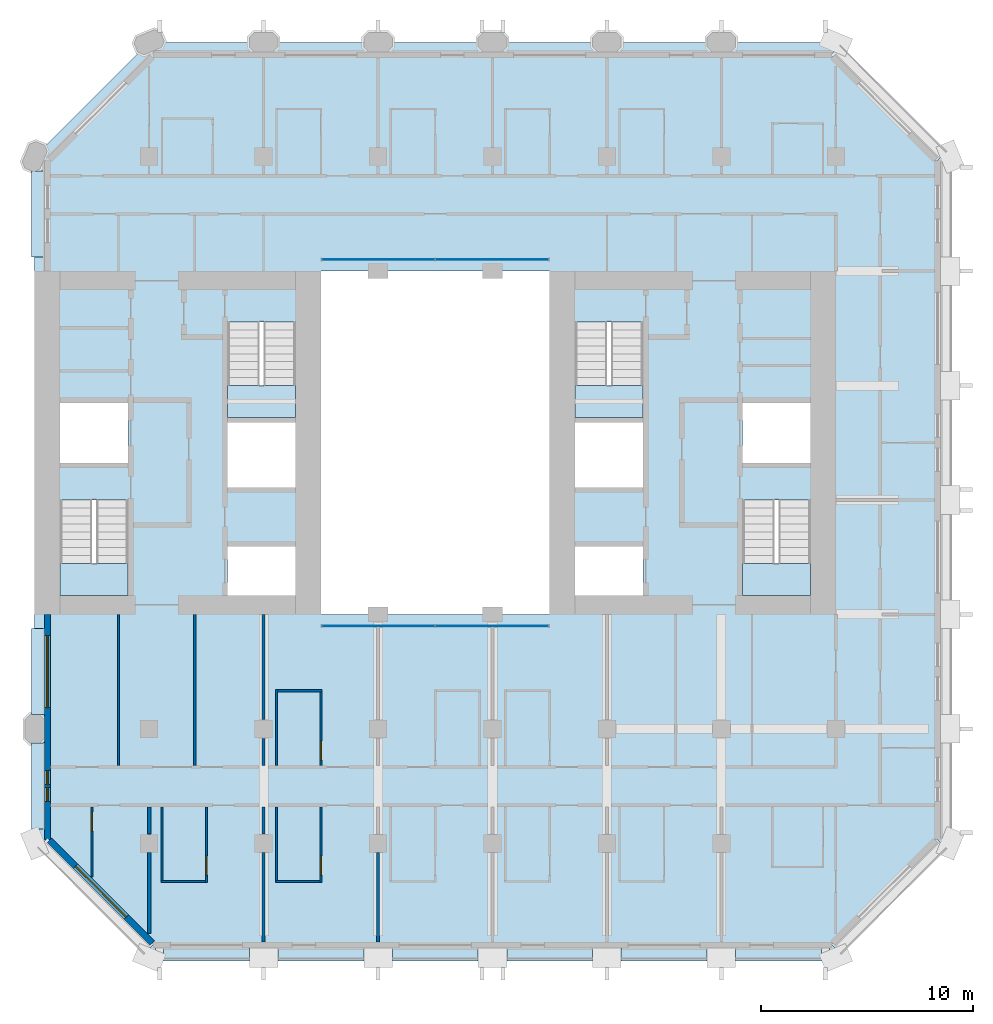
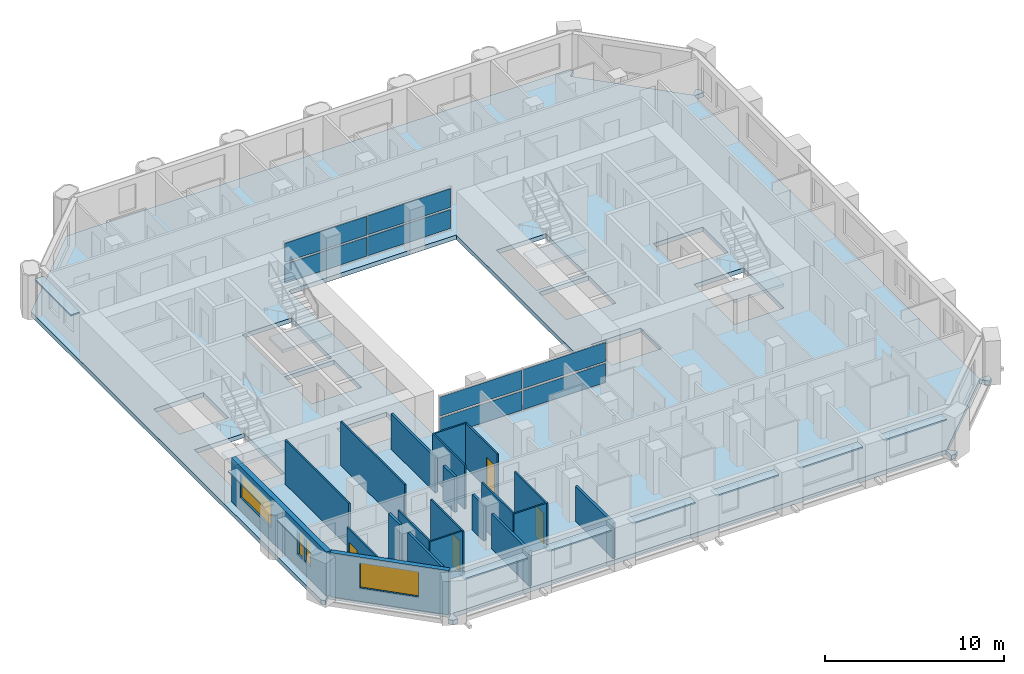
# One storey, part 5 of 13: 21 walls, 17 plates, 5 slabs, 4 doors, 4 windows, 8 openings, 6 elements without a shape of their own.
"""IFC4 building model written with IfcOpenShell, lengths in metres."""

from ifc_helpers import new_model, si_unit, direction, frame, frame_2d, origin, origin_2d, place, context, subcontext, project, spatial, polyline, rectangle, outline, extrude, material, layer, layer_set, type_object, element, fill, aggregate, save


model = new_model("IFC4")

# Units and contexts
model_context = context("Model", 3, precision=1e-05, world=origin(), true_north=direction((0.0, 1.0)))
body_context = subcontext(model_context, "Body", "Model", "MODEL_VIEW")
ifc_project = project(units=[si_unit("LENGTHUNIT", "METRE"), si_unit("AREAUNIT", "SQUARE_METRE"), si_unit("VOLUMEUNIT", "CUBIC_METRE"), si_unit("PLANEANGLEUNIT", "RADIAN"), si_unit("MASSUNIT", "GRAM", prefix="KILO")], contexts=[model_context])

# Site, building, storey
site_placement = place(None, origin())
site = spatial("IfcSite", under=ifc_project, at=site_placement, CompositionType="ELEMENT")
building_placement = place(site_placement, origin())
building = spatial("IfcBuilding", under=site, at=building_placement, Name="Tabaq Tower and Sports Hall", CompositionType="ELEMENT")
storey_placement = place(building_placement, frame((0.0, 0.0, 159.39990234375)))
storey = spatial("IfcBuildingStorey", under=building, at=storey_placement, Name="L37", CompositionType="ELEMENT", Elevation=159.39990234375)

# Curtain wall, plates
ifc_material_1 = material(Name="Aluminium alloy 6063-T6 framed glazing", Category="aluminium")
curtain_wall_type = type_object("IfcCurtainWallType", Name="CW1 curtain wall", PredefinedType="USERDEFINED", material=ifc_material_1)
curtain_wall_1_placement = place(storey_placement, origin())
curtain_wall_1 = element("IfcCurtainWall", 1, at=curtain_wall_1_placement, inside=storey, type_object=curtain_wall_type, Name="Atrium glazing L37 S", ObjectType="ATRIUM ENCLOSURE", PredefinedType="USERDEFINED")
ifc_material_2 = material(Name="Clear low-emissivity glass 28 mm", Category="glass")
ifc_layer_1 = layer(ifc_material_2, 0.028076171875)
ifc_layer_set_1 = layer_set([ifc_layer_1], Name="CW1 glass panel 28")
plate_type_1 = type_object("IfcPlateType", Name="CW1 glass panel 28", PredefinedType="CURTAIN_PANEL", material=ifc_layer_set_1)
plate_1_placement = place(storey_placement, frame((21.614990234375, 15.64990234375, 0.14013671875), z_axis=(0.0, 0.0, 1.0), x_axis=(1.0, 0.0, 0.0)))
plate_1 = element("IfcPlate", 2, at=plate_1_placement, type_object=plate_type_1, Name="CW1 panel 1.1", PredefinedType="CURTAIN_PANEL", context=body_context, shape_type="SweptSolid", body=[
    extrude(rectangle(XDim=5.31005859375, YDim=0.028076171875, at=origin_2d()), origin(), (0.0, 0.0, 1.0), 1.2900390625),
])
plate_2_placement = place(storey_placement, frame((21.614990234375, 15.64990234375, 1.570068359375), z_axis=(0.0, 0.0, 1.0), x_axis=(1.0, 0.0, 0.0)))
plate_2 = element("IfcPlate", 3, at=plate_2_placement, type_object=plate_type_1, Name="CW1 panel 1.2", PredefinedType="CURTAIN_PANEL", context=body_context, shape_type="SweptSolid", body=[
    extrude(rectangle(XDim=5.31005859375, YDim=0.028076171875, at=origin_2d()), origin(), (0.0, 0.0, 1.0), 1.2900390625),
])
plate_3_placement = place(storey_placement, frame((26.985107421875, 15.64990234375, 0.14013671875), z_axis=(0.0, 0.0, 1.0), x_axis=(1.0, 0.0, 0.0)))
plate_3 = element("IfcPlate", 4, at=plate_3_placement, type_object=plate_type_1, Name="CW1 panel 2.1", PredefinedType="CURTAIN_PANEL", context=body_context, shape_type="SweptSolid", body=[
    extrude(rectangle(XDim=5.31005859375, YDim=0.028076171875, at=origin_2d()), origin(), (0.0, 0.0, 1.0), 1.2900390625),
])
plate_4_placement = place(storey_placement, frame((26.985107421875, 15.64990234375, 1.570068359375), z_axis=(0.0, 0.0, 1.0), x_axis=(1.0, 0.0, 0.0)))
plate_4 = element("IfcPlate", 5, at=plate_4_placement, type_object=plate_type_1, Name="CW1 panel 2.2", PredefinedType="CURTAIN_PANEL", context=body_context, shape_type="SweptSolid", body=[
    extrude(rectangle(XDim=5.31005859375, YDim=0.028076171875, at=origin_2d()), origin(), (0.0, 0.0, 1.0), 1.2900390625),
])
aggregate(curtain_wall_1, [plate_1, plate_2, plate_3, plate_4])

curtain_wall_2_placement = place(storey_placement, origin())
curtain_wall_2 = element("IfcCurtainWall", 6, at=curtain_wall_2_placement, inside=storey, type_object=curtain_wall_type, Name="Atrium glazing L37 N", ObjectType="ATRIUM ENCLOSURE", PredefinedType="USERDEFINED")
plate_5_placement = place(storey_placement, frame((21.614990234375, 32.949951171875, 0.14013671875), z_axis=(0.0, 0.0, 1.0), x_axis=(1.0, 0.0, 0.0)))
plate_5 = element("IfcPlate", 7, at=plate_5_placement, type_object=plate_type_1, Name="CW1 panel 1.1", PredefinedType="CURTAIN_PANEL", context=body_context, shape_type="SweptSolid", body=[
    extrude(rectangle(XDim=5.31005859375, YDim=0.028076171875, at=origin_2d()), origin(), (0.0, 0.0, 1.0), 1.2900390625),
])
plate_6_placement = place(storey_placement, frame((21.614990234375, 32.949951171875, 1.570068359375), z_axis=(0.0, 0.0, 1.0), x_axis=(1.0, 0.0, 0.0)))
plate_6 = element("IfcPlate", 8, at=plate_6_placement, type_object=plate_type_1, Name="CW1 panel 1.2", PredefinedType="CURTAIN_PANEL", context=body_context, shape_type="SweptSolid", body=[
    extrude(rectangle(XDim=5.31005859375, YDim=0.028076171875, at=origin_2d()), origin(), (0.0, 0.0, 1.0), 1.2900390625),
])
plate_7_placement = place(storey_placement, frame((26.985107421875, 32.949951171875, 0.14013671875), z_axis=(0.0, 0.0, 1.0), x_axis=(1.0, 0.0, 0.0)))
plate_7 = element("IfcPlate", 9, at=plate_7_placement, type_object=plate_type_1, Name="CW1 panel 2.1", PredefinedType="CURTAIN_PANEL", context=body_context, shape_type="SweptSolid", body=[
    extrude(rectangle(XDim=5.31005859375, YDim=0.028076171875, at=origin_2d()), origin(), (0.0, 0.0, 1.0), 1.2900390625),
])
plate_8_placement = place(storey_placement, frame((26.985107421875, 32.949951171875, 1.570068359375), z_axis=(0.0, 0.0, 1.0), x_axis=(1.0, 0.0, 0.0)))
plate_8 = element("IfcPlate", 10, at=plate_8_placement, type_object=plate_type_1, Name="CW1 panel 2.2", PredefinedType="CURTAIN_PANEL", context=body_context, shape_type="SweptSolid", body=[
    extrude(rectangle(XDim=5.31005859375, YDim=0.028076171875, at=origin_2d()), origin(), (0.0, 0.0, 1.0), 1.2900390625),
])
aggregate(curtain_wall_2, [plate_5, plate_6, plate_7, plate_8])

# Stair, slab
ifc_material_3 = material(Name="Concrete C40/50", Category="concrete")
stair_type = type_object("IfcStairType", Name="Exit stair", PredefinedType="HALF_TURN_STAIR", material=ifc_material_3)
stair_1_placement = place(storey_placement, origin())
stair_1 = element("IfcStair", 11, at=stair_1_placement, inside=storey, type_object=stair_type, Name="L37 Exit stair ST1", PredefinedType="HALF_TURN_STAIR")
ifc_material_4 = material(Name="Concrete C40/50", Category="concrete")
ifc_layer_2 = layer(ifc_material_4, 0.199951171875)
ifc_layer_set_2 = layer_set([ifc_layer_2], Name="Exit stair landing")
slab_type_1 = type_object("IfcSlabType", Name="Exit stair landing", PredefinedType="LANDING", material=ifc_layer_set_2)
slab_1_placement = place(storey_placement, frame((0.0, 0.0, 1.4501953125)))
slab_1 = element("IfcSlab", 12, at=slab_1_placement, type_object=slab_type_1, Name="ST1 landing 1", PredefinedType="LANDING", context=body_context, shape_type="SweptSolid", body=[
    extrude(outline(polyline([(6.60009765625, 18.60009765625), (6.60009765625, 17.10009765625), (9.800048828125, 17.10009765625), (9.800048828125, 18.60009765625), (6.60009765625, 18.60009765625)])), origin(), (0.0, 0.0, 1.0), 0.199951171875),
])
aggregate(stair_1, [slab_1])

stair_2_placement = place(storey_placement, origin())
stair_2 = element("IfcStair", 13, at=stair_2_placement, inside=storey, type_object=stair_type, Name="L37 Exit stair ST2", PredefinedType="HALF_TURN_STAIR")
slab_2_placement = place(storey_placement, frame((0.0, 0.0, 1.4501953125)))
slab_2 = element("IfcSlab", 14, at=slab_2_placement, type_object=slab_type_1, Name="ST2 landing 1", PredefinedType="LANDING", context=body_context, shape_type="SweptSolid", body=[
    extrude(outline(polyline([(14.5, 27.0), (14.5, 25.5), (17.699951171875, 25.5), (17.699951171875, 27.0), (14.5, 27.0)])), origin(), (0.0, 0.0, 1.0), 0.199951171875),
])
aggregate(stair_2, [slab_2])

stair_3_placement = place(storey_placement, origin())
stair_3 = element("IfcStair", 15, at=stair_3_placement, inside=storey, type_object=stair_type, Name="L37 Exit stair ST3", PredefinedType="HALF_TURN_STAIR")
slab_3_placement = place(storey_placement, frame((0.0, 0.0, 1.4501953125)))
slab_3 = element("IfcSlab", 16, at=slab_3_placement, type_object=slab_type_1, Name="ST3 landing 1", PredefinedType="LANDING", context=body_context, shape_type="SweptSolid", body=[
    extrude(outline(polyline([(38.800048828125, 18.60009765625), (38.800048828125, 17.10009765625), (42.0, 17.10009765625), (42.0, 18.60009765625), (38.800048828125, 18.60009765625)])), origin(), (0.0, 0.0, 1.0), 0.199951171875),
])
aggregate(stair_3, [slab_3])

stair_4_placement = place(storey_placement, origin())
stair_4 = element("IfcStair", 17, at=stair_4_placement, inside=storey, type_object=stair_type, Name="L37 Exit stair ST4", PredefinedType="HALF_TURN_STAIR")
slab_4_placement = place(storey_placement, frame((0.0, 0.0, 1.4501953125)))
slab_4 = element("IfcSlab", 18, at=slab_4_placement, type_object=slab_type_1, Name="ST4 landing 1", PredefinedType="LANDING", context=body_context, shape_type="SweptSolid", body=[
    extrude(outline(polyline([(30.89990234375, 27.0), (30.89990234375, 25.5), (34.10009765625, 25.5), (34.10009765625, 27.0), (30.89990234375, 27.0)])), origin(), (0.0, 0.0, 1.0), 0.199951171875),
])
aggregate(stair_4, [slab_4])

# Slab
ifc_material_5 = material(Name="Concrete C40/50", Category="concrete")
ifc_layer_3 = layer(ifc_material_5, 0.300048828125)
ifc_layer_set_3 = layer_set([ifc_layer_3], Name="PT FLOOR SLAB 300 C40/50")
slab_type_2 = type_object("IfcSlabType", Name="PT FLOOR SLAB 300 C40/50", PredefinedType="FLOOR", material=ifc_layer_set_3)
slab_5_placement = place(storey_placement, frame((0.0, 0.0, -0.2998046875)))
element("IfcSlab", 19, at=slab_5_placement, inside=storey, type_object=slab_type_2, Name="Floor Slab L37", PredefinedType="FLOOR", context=body_context, shape_type="SweptSolid", body=[
    extrude(outline(polyline([(5.39990234375, 37.800048828125), (5.39990234375, 5.39990234375), (5.57666015625, 5.22314453125), (5.930419921875, 5.57666015625), (6.0009765625, 5.6474609375), (11.01318359375, 0.63525390625), (10.5888671875, 0.211181640625), (10.800048828125, 0.0), (11.0986328125, 0.0), (11.0986328125, 0.5), (11.0986328125, 0.60009765625), (42.9013671875, 0.60009765625), (42.9013671875, 0.5), (42.9013671875, 0.0), (43.199951171875, 0.0), (43.4111328125, 0.211181640625), (42.98681640625, 0.63525390625), (47.964599609375, 5.61328125), (48.035400390625, 5.54248046875), (48.388916015625, 5.18896484375), (48.60009765625, 5.39990234375), (48.60009765625, 5.698486328125), (48.10009765625, 5.698486328125), (48.0, 5.698486328125), (48.0, 37.50146484375), (48.10009765625, 37.50146484375), (48.60009765625, 37.50146484375), (48.60009765625, 37.800048828125), (48.388916015625, 38.010986328125), (48.035400390625, 37.657470703125), (47.964599609375, 37.5869140625), (42.952392578125, 42.598876953125), (43.023193359375, 42.669677734375), (43.376708984375, 43.023193359375), (43.199951171875, 43.199951171875), (10.800048828125, 43.199951171875), (5.39990234375, 37.800048828125)]), holes=[polyline([(14.5, 19.39990234375), (17.699951171875, 19.39990234375), (17.699951171875, 17.10009765625), (14.5, 17.10009765625), (14.5, 19.39990234375)]), polyline([(6.60009765625, 21.599365234375), (9.800048828125, 21.599365234375), (9.800048828125, 17.10009765625), (6.60009765625, 17.10009765625), (6.60009765625, 21.599365234375)]), polyline([(14.5, 25.25), (17.699951171875, 25.25), (17.699951171875, 22.199951171875), (14.5, 22.199951171875), (14.5, 25.25)]), polyline([(18.89990234375, 32.39990234375), (29.699951171875, 32.39990234375), (29.699951171875, 16.199951171875), (18.89990234375, 16.199951171875), (18.89990234375, 32.39990234375)]), polyline([(9.800048828125, 26.175048828125), (9.800048828125, 23.35009765625), (6.60009765625, 23.35009765625), (6.60009765625, 26.175048828125), (9.800048828125, 26.175048828125)]), polyline([(14.5, 29.99951171875), (17.699951171875, 29.99951171875), (17.699951171875, 25.5), (14.5, 25.5), (14.5, 29.99951171875)]), polyline([(34.10009765625, 19.39990234375), (34.10009765625, 17.10009765625), (30.89990234375, 17.10009765625), (30.89990234375, 19.39990234375), (34.10009765625, 19.39990234375)]), polyline([(42.0, 21.599365234375), (42.0, 17.10009765625), (38.800048828125, 17.10009765625), (38.800048828125, 21.599365234375), (42.0, 21.599365234375)]), polyline([(30.89990234375, 25.25), (34.10009765625, 25.25), (34.10009765625, 22.199951171875), (30.89990234375, 22.199951171875), (30.89990234375, 25.25)]), polyline([(42.0, 26.175048828125), (42.0, 23.35009765625), (38.800048828125, 23.35009765625), (38.800048828125, 26.175048828125), (42.0, 26.175048828125)]), polyline([(34.10009765625, 29.99951171875), (34.10009765625, 25.5), (30.89990234375, 25.5), (30.89990234375, 29.99951171875), (34.10009765625, 29.99951171875)])]), origin(), (0.0, 0.0, 1.0), 0.2998046875),
])

# Plates
ifc_material_6 = material(Name="White precast concrete C60/75 blade", Category="concrete")
ifc_layer_4 = layer(ifc_material_6, 0.10009765625)
ifc_layer_set_4 = layer_set([ifc_layer_4], Name="White precast concrete C60/75 sunshade 100")
plate_type_2 = type_object("IfcPlateType", Name="White precast concrete C60/75 sunshade 100", PredefinedType="USERDEFINED", material=ifc_layer_set_4)
for number, where, z_axis, x_axis, name in (
    (20, (13.5, 0.14990234375, 2.60009765625), (0.0, 0.0, 1.0), (1.0, 0.0, 0.0), "Sunshade L37 S"),
    (21, (18.89990234375, 0.14990234375, 2.60009765625), (0.0, 0.0, 1.0), (1.0, 0.0, 0.0), "Sunshade L37 S"),
    (22, (24.300048828125, 0.14990234375, 2.60009765625), (0.0, 0.0, 1.0), (1.0, 0.0, 0.0), "Sunshade L37 S"),
    (23, (29.699951171875, 0.14990234375, 2.60009765625), (0.0, 0.0, 1.0), (1.0, 0.0, 0.0), "Sunshade L37 S"),
    (24, (35.10009765625, 0.14990234375, 2.60009765625), (0.0, 0.0, 1.0), (1.0, 0.0, 0.0), "Sunshade L37 S"),
    (25, (40.5, 0.14990234375, 2.60009765625), (0.0, 0.0, 1.0), (1.0, 0.0, 0.0), "Sunshade L37 S"),
    (26, (5.550048828125, 35.10009765625, 2.60009765625), (0.0, 0.0, 1.0), (0.0, -1.0, 0.0), "Sunshade L37 W"),
    (27, (5.550048828125, 13.5, 2.60009765625), (0.0, 0.0, 1.0), (0.0, -1.0, 0.0), "Sunshade L37 W"),
    (28, (5.550048828125, 8.10009765625, 2.60009765625), (0.0, 0.0, 1.0), (0.0, -1.0, 0.0), "Sunshade L37 W"),
):
    element("IfcPlate", number, at=place(storey_placement, frame(where, z_axis=z_axis, x_axis=x_axis)), inside=storey, type_object=plate_type_2, Name=name, ObjectType="SUNSHADE", PredefinedType="USERDEFINED", context=body_context, shape_type="SweptSolid", body=[
        extrude(rectangle(XDim=4.050048828125, YDim=0.60009765625, at=origin_2d()), origin(), (0.0, 0.0, 1.0), 0.10009765625),
    ])

# Walls
ifc_material_7 = material(Name="Gypsum board on steel studs", Category="steel")
ifc_layer_5 = layer(ifc_material_7, 0.10009765625)
ifc_layer_set_5 = layer_set([ifc_layer_5], Name="Partition 100 Gypsum board")
wall_type_1 = type_object("IfcWallType", Name="Partition 100 Gypsum board", PredefinedType="PARTITIONING", material=ifc_layer_set_5)
wall_1_placement = place(storey_placement, frame((16.800048828125, 9.074951171875, 0.0), z_axis=(0.0, 0.0, 1.0), x_axis=(0.0, 1.0, 0.0)))
element("IfcWall", 29, at=wall_1_placement, inside=storey, type_object=wall_type_1, Name="Partition wall L37", PredefinedType="PARTITIONING", context=body_context, shape_type="SweptSolid", body=[
    extrude(rectangle(XDim=3.574951171875, YDim=0.10009765625, at=frame_2d((1.78759765625, 0.0))), origin(), (0.0, 0.0, 1.0), 3.0),
])
wall_2_placement = place(storey_placement, frame((16.85009765625, 12.60009765625, 0.0), z_axis=(0.0, 0.0, 1.0), x_axis=(1.0, 0.0, 0.0)))
element("IfcWall", 30, at=wall_2_placement, inside=storey, type_object=wall_type_1, Name="Partition wall L37", PredefinedType="PARTITIONING", context=body_context, shape_type="SweptSolid", body=[
    extrude(rectangle(XDim=2.099853515625, YDim=0.10009765625, at=frame_2d((1.0498046875, 0.0))), origin(), (0.0, 0.0, 1.0), 3.0),
])

# Wall, opening, door
wall_3_placement = place(storey_placement, frame((18.89990234375, 12.550048828125, 0.0), z_axis=(0.0, 0.0, 1.0), x_axis=(0.0, -1.0, 0.0)))
wall_3 = element("IfcWall", 31, at=wall_3_placement, inside=storey, type_object=wall_type_1, Name="Partition wall L37", PredefinedType="PARTITIONING", context=body_context, shape_type="SweptSolid", body=[
    extrude(rectangle(XDim=3.47509765625, YDim=0.10009765625, at=frame_2d((1.737548828125, 0.0))), origin(), (0.0, 0.0, 1.0), 3.0),
])
opening_1_placement = place(wall_3_placement, frame((2.324951171875, 0.0, 0.0)))
opening_1 = element("IfcOpeningElement", 32, at=opening_1_placement, cuts=wall_3, Name="Opening L37-014", PredefinedType="OPENING", context=body_context, shape_type="SweptSolid", body=[
    extrude(rectangle(XDim=0.89990234375, YDim=2.10009765625, at=frame_2d((0.449951171875, 1.050048828125))), frame((0.0, 0.050048828125, 0.0), z_axis=(0.0, -1.0, 0.0), x_axis=(1.0, 0.0, 0.0)), (0.0, 0.0, 1.0), 0.10009765625),
])
ifc_material_8 = material(Name="Timber leaf in steel frame", Category="steel")
door_type_1 = type_object("IfcDoorType", Name="Internal door 900 left hand", OperationType="SINGLE_SWING_LEFT", PredefinedType="DOOR", material=ifc_material_8)
door_1_placement = place(opening_1_placement, origin())
door_1 = element("IfcDoor", 33, at=door_1_placement, inside=storey, type_object=door_type_1, Name="Internal door L37-014", OperationType="SINGLE_SWING_LEFT", OverallHeight=2.10009765625, OverallWidth=0.89990234375, PredefinedType="DOOR", context=body_context, shape_type="SweptSolid", body=[
    extrude(rectangle(XDim=0.89990234375, YDim=2.10009765625, at=frame_2d((0.449951171875, 1.050048828125))), frame((0.0, 0.02490234375, 0.0), z_axis=(0.0, -1.0, 0.0), x_axis=(1.0, 0.0, 0.0)), (0.0, 0.0, 1.0), 0.050048828125),
])
fill(opening_1, door_1)

wall_4_placement = place(storey_placement, frame((8.10009765625, 7.125, 0.0), z_axis=(0.0, 0.0, 1.0), x_axis=(0.0, -1.0, 0.0)))
wall_4 = element("IfcWall", 34, at=wall_4_placement, inside=storey, type_object=wall_type_1, Name="Partition wall L37", PredefinedType="PARTITIONING", context=body_context, shape_type="SweptSolid", body=[
    extrude(rectangle(XDim=3.31298828125, YDim=0.10009765625, at=frame_2d((1.656494140625, 0.0))), origin(), (0.0, 0.0, 1.0), 3.0),
])
opening_2_placement = place(wall_4_placement, frame((0.25, 0.0, 0.0)))
opening_2 = element("IfcOpeningElement", 35, at=opening_2_placement, cuts=wall_4, Name="Opening L37-018", PredefinedType="OPENING", context=body_context, shape_type="SweptSolid", body=[
    extrude(rectangle(XDim=0.89990234375, YDim=2.10009765625, at=frame_2d((0.449951171875, 1.050048828125))), frame((0.0, 0.050048828125, 0.0), z_axis=(0.0, -1.0, 0.0), x_axis=(1.0, 0.0, 0.0)), (0.0, 0.0, 1.0), 0.10009765625),
])
door_2_placement = place(opening_2_placement, origin())
door_2 = element("IfcDoor", 36, at=door_2_placement, inside=storey, type_object=door_type_1, Name="Internal door L37-018", OperationType="SINGLE_SWING_LEFT", OverallHeight=2.10009765625, OverallWidth=0.89990234375, PredefinedType="DOOR", context=body_context, shape_type="SweptSolid", body=[
    extrude(rectangle(XDim=0.89990234375, YDim=2.10009765625, at=frame_2d((0.449951171875, 1.050048828125))), frame((0.0, 0.02490234375, 0.0), z_axis=(0.0, -1.0, 0.0), x_axis=(1.0, 0.0, 0.0)), (0.0, 0.0, 1.0), 0.050048828125),
])
fill(opening_2, door_2)

wall_5_placement = place(storey_placement, frame((13.5, 7.125, 0.0), z_axis=(0.0, 0.0, 1.0), x_axis=(0.0, -1.0, 0.0)))
wall_5 = element("IfcWall", 37, at=wall_5_placement, inside=storey, type_object=wall_type_1, Name="Partition wall L37", PredefinedType="PARTITIONING", context=body_context, shape_type="SweptSolid", body=[
    extrude(rectangle(XDim=3.574951171875, YDim=0.10009765625, at=frame_2d((1.78759765625, 0.0))), origin(), (0.0, 0.0, 1.0), 3.0),
])
opening_3_placement = place(wall_5_placement, frame((2.324951171875, 0.0, 0.0)))
opening_3 = element("IfcOpeningElement", 38, at=opening_3_placement, cuts=wall_5, Name="Opening L37-019", PredefinedType="OPENING", context=body_context, shape_type="SweptSolid", body=[
    extrude(rectangle(XDim=0.89990234375, YDim=2.10009765625, at=frame_2d((0.449951171875, 1.050048828125))), frame((0.0, 0.050048828125, 0.0), z_axis=(0.0, -1.0, 0.0), x_axis=(1.0, 0.0, 0.0)), (0.0, 0.0, 1.0), 0.10009765625),
])
door_3_placement = place(opening_3_placement, origin())
door_3 = element("IfcDoor", 39, at=door_3_placement, inside=storey, type_object=door_type_1, Name="Internal door L37-019", OperationType="SINGLE_SWING_LEFT", OverallHeight=2.10009765625, OverallWidth=0.89990234375, PredefinedType="DOOR", context=body_context, shape_type="SweptSolid", body=[
    extrude(rectangle(XDim=0.89990234375, YDim=2.10009765625, at=frame_2d((0.449951171875, 1.050048828125))), frame((0.0, 0.02490234375, 0.0), z_axis=(0.0, -1.0, 0.0), x_axis=(1.0, 0.0, 0.0)), (0.0, 0.0, 1.0), 0.050048828125),
])
fill(opening_3, door_3)

# Walls
wall_6_placement = place(storey_placement, frame((13.449951171875, 3.60009765625, 0.0), z_axis=(0.0, 0.0, 1.0), x_axis=(-1.0, 0.0, 0.0)))
element("IfcWall", 40, at=wall_6_placement, inside=storey, type_object=wall_type_1, Name="Partition wall L37", PredefinedType="PARTITIONING", context=body_context, shape_type="SweptSolid", body=[
    extrude(rectangle(XDim=2.099853515625, YDim=0.10009765625, at=frame_2d((1.0498046875, 0.0))), origin(), (0.0, 0.0, 1.0), 3.0),
])
wall_7_placement = place(storey_placement, frame((11.39990234375, 3.64990234375, 0.0), z_axis=(0.0, 0.0, 1.0), x_axis=(0.0, 1.0, 0.0)))
element("IfcWall", 41, at=wall_7_placement, inside=storey, type_object=wall_type_1, Name="Partition wall L37", PredefinedType="PARTITIONING", context=body_context, shape_type="SweptSolid", body=[
    extrude(rectangle(XDim=3.47509765625, YDim=0.10009765625, at=frame_2d((1.737548828125, 0.0))), origin(), (0.0, 0.0, 1.0), 3.0),
])

# Wall, opening, door
wall_8_placement = place(storey_placement, frame((18.89990234375, 7.125, 0.0), z_axis=(0.0, 0.0, 1.0), x_axis=(0.0, -1.0, 0.0)))
wall_8 = element("IfcWall", 42, at=wall_8_placement, inside=storey, type_object=wall_type_1, Name="Partition wall L37", PredefinedType="PARTITIONING", context=body_context, shape_type="SweptSolid", body=[
    extrude(rectangle(XDim=3.574951171875, YDim=0.10009765625, at=frame_2d((1.78759765625, 0.0))), origin(), (0.0, 0.0, 1.0), 3.0),
])
opening_4_placement = place(wall_8_placement, frame((2.324951171875, 0.0, 0.0)))
opening_4 = element("IfcOpeningElement", 43, at=opening_4_placement, cuts=wall_8, Name="Opening L37-020", PredefinedType="OPENING", context=body_context, shape_type="SweptSolid", body=[
    extrude(rectangle(XDim=0.89990234375, YDim=2.10009765625, at=frame_2d((0.449951171875, 1.050048828125))), frame((0.0, 0.050048828125, 0.0), z_axis=(0.0, -1.0, 0.0), x_axis=(1.0, 0.0, 0.0)), (0.0, 0.0, 1.0), 0.10009765625),
])
ifc_material_9 = material(Name="Timber leaf in steel frame", Category="steel")
door_type_2 = type_object("IfcDoorType", Name="Internal door 900 right hand", OperationType="SINGLE_SWING_RIGHT", PredefinedType="DOOR", material=ifc_material_9)
door_4_placement = place(opening_4_placement, origin())
door_4 = element("IfcDoor", 44, at=door_4_placement, inside=storey, type_object=door_type_2, Name="Internal door L37-020", OperationType="SINGLE_SWING_RIGHT", OverallHeight=2.10009765625, OverallWidth=0.89990234375, PredefinedType="DOOR", context=body_context, shape_type="SweptSolid", body=[
    extrude(rectangle(XDim=0.89990234375, YDim=2.10009765625, at=frame_2d((0.449951171875, 1.050048828125))), frame((0.0, 0.02490234375, 0.0), z_axis=(0.0, -1.0, 0.0), x_axis=(1.0, 0.0, 0.0)), (0.0, 0.0, 1.0), 0.050048828125),
])
fill(opening_4, door_4)

# Walls
wall_9_placement = place(storey_placement, frame((18.85009765625, 3.60009765625, 0.0), z_axis=(0.0, 0.0, 1.0), x_axis=(-1.0, 0.0, 0.0)))
element("IfcWall", 45, at=wall_9_placement, inside=storey, type_object=wall_type_1, Name="Partition wall L37", PredefinedType="PARTITIONING", context=body_context, shape_type="SweptSolid", body=[
    extrude(rectangle(XDim=2.10009765625, YDim=0.10009765625, at=frame_2d((1.050048828125, 0.0))), origin(), (0.0, 0.0, 1.0), 3.0),
])
wall_10_placement = place(storey_placement, frame((16.800048828125, 3.64990234375, 0.0), z_axis=(0.0, 0.0, 1.0), x_axis=(0.0, 1.0, 0.0)))
element("IfcWall", 46, at=wall_10_placement, inside=storey, type_object=wall_type_1, Name="Partition wall L37", PredefinedType="PARTITIONING", context=body_context, shape_type="SweptSolid", body=[
    extrude(rectangle(XDim=3.47509765625, YDim=0.10009765625, at=frame_2d((1.737548828125, 0.0))), origin(), (0.0, 0.0, 1.0), 3.0),
])
for number, where, z_axis, x_axis, name in (
    (47, (9.35009765625, 16.199951171875, 0.0), (0.0, 0.0, 1.0), (0.0, -1.0, 0.0), "Partition wall L37"),
    (48, (12.949951171875, 9.074951171875, 0.0), (0.0, 0.0, 1.0), (0.0, 1.0, 0.0), "Partition wall L37"),
):
    element("IfcWall", number, at=place(storey_placement, frame(where, z_axis=z_axis, x_axis=x_axis)), inside=storey, type_object=wall_type_1, Name=name, PredefinedType="PARTITIONING", context=body_context, shape_type="SweptSolid", body=[
        extrude(rectangle(XDim=7.125, YDim=0.10009765625, at=frame_2d((3.5625, 0.0))), origin(), (0.0, 0.0, 1.0), 3.0),
    ])
ifc_material_10 = material(Name="Blockwork", Category="masonry")
ifc_layer_6 = layer(ifc_material_10, 0.14990234375)
ifc_layer_set_6 = layer_set([ifc_layer_6], Name="Separating wall 150 Blockwork")
wall_type_2 = type_object("IfcWallType", Name="Separating wall 150 Blockwork", PredefinedType="PARTITIONING", material=ifc_layer_set_6)
wall_11_placement = place(storey_placement, frame((16.199951171875, 16.199951171875, 0.0), z_axis=(0.0, 0.0, 1.0), x_axis=(0.0, -1.0, 0.0)))
element("IfcWall", 49, at=wall_11_placement, inside=storey, type_object=wall_type_2, Name="Separating wall L37", PredefinedType="PARTITIONING", context=body_context, shape_type="SweptSolid", body=[
    extrude(rectangle(XDim=4.954833984375, YDim=0.14990234375, at=frame_2d((2.4775390625, 0.0))), origin(), (0.0, 0.0, 1.0), 2.400146484375),
])
wall_12_placement = place(storey_placement, frame((16.199951171875, 10.35498046875, 0.0), z_axis=(0.0, 0.0, 1.0), x_axis=(0.0, -1.0, 0.0)))
element("IfcWall", 50, at=wall_12_placement, inside=storey, type_object=wall_type_2, Name="Separating wall L37", PredefinedType="PARTITIONING", context=body_context, shape_type="SweptSolid", body=[
    extrude(rectangle(XDim=1.280029296875, YDim=0.14990234375, at=frame_2d((0.64013671875, 0.0))), origin(), (0.0, 0.0, 1.0), 2.400146484375),
])
wall_13_placement = place(storey_placement, frame((10.800048828125, 1.13720703125, 0.0), z_axis=(0.0, 0.0, 1.0), x_axis=(0.0, 1.0, 0.0)))
element("IfcWall", 51, at=wall_13_placement, inside=storey, type_object=wall_type_2, Name="Separating wall L37", PredefinedType="PARTITIONING", context=body_context, shape_type="SweptSolid", body=[
    extrude(rectangle(XDim=3.81787109375, YDim=0.14990234375, at=frame_2d((1.908935546875, 0.0))), origin(), (0.0, 0.0, 1.0), 3.0),
])
wall_14_placement = place(storey_placement, frame((10.800048828125, 5.844970703125, 0.0), z_axis=(0.0, 0.0, 1.0), x_axis=(0.0, 1.0, 0.0)))
element("IfcWall", 52, at=wall_14_placement, inside=storey, type_object=wall_type_2, Name="Separating wall L37", PredefinedType="PARTITIONING", context=body_context, shape_type="SweptSolid", body=[
    extrude(rectangle(XDim=1.280029296875, YDim=0.14990234375, at=frame_2d((0.64013671875, 0.0))), origin(), (0.0, 0.0, 1.0), 3.0),
])
wall_15_placement = place(storey_placement, frame((16.199951171875, 0.7509765625, 0.0), z_axis=(0.0, 0.0, 1.0), x_axis=(0.0, 1.0, 0.0)))
element("IfcWall", 53, at=wall_15_placement, inside=storey, type_object=wall_type_2, Name="Separating wall L37", PredefinedType="PARTITIONING", context=body_context, shape_type="SweptSolid", body=[
    extrude(rectangle(XDim=4.2041015625, YDim=0.14990234375, at=frame_2d((2.10205078125, 0.0))), origin(), (0.0, 0.0, 1.0), 2.400146484375),
])
wall_16_placement = place(storey_placement, frame((16.199951171875, 5.844970703125, 0.0), z_axis=(0.0, 0.0, 1.0), x_axis=(0.0, 1.0, 0.0)))
element("IfcWall", 54, at=wall_16_placement, inside=storey, type_object=wall_type_2, Name="Separating wall L37", PredefinedType="PARTITIONING", context=body_context, shape_type="SweptSolid", body=[
    extrude(rectangle(XDim=1.280029296875, YDim=0.14990234375, at=frame_2d((0.64013671875, 0.0))), origin(), (0.0, 0.0, 1.0), 2.400146484375),
])
wall_17_placement = place(storey_placement, frame((21.60009765625, 0.7509765625, 0.0), z_axis=(0.0, 0.0, 1.0), x_axis=(0.0, 1.0, 0.0)))
element("IfcWall", 55, at=wall_17_placement, inside=storey, type_object=wall_type_2, Name="Separating wall L37", PredefinedType="PARTITIONING", context=body_context, shape_type="SweptSolid", body=[
    extrude(rectangle(XDim=4.2041015625, YDim=0.14990234375, at=frame_2d((2.10205078125, 0.0))), origin(), (0.0, 0.0, 1.0), 2.400146484375),
])

# Wall, openings, windows
ifc_material_11 = material(Name="White precast concrete C60/75", Category="concrete")
ifc_layer_7 = layer(ifc_material_11, 0.300048828125)
ifc_layer_set_7 = layer_set([ifc_layer_7], Name="White precast concrete C60/75 external wall 300")
wall_type_3 = type_object("IfcWallType", Name="White precast concrete C60/75 external wall 300", PredefinedType="SOLIDWALL", material=ifc_layer_set_7)
wall_18_placement = place(storey_placement, frame((6.0, 16.199951171875, 0.0), z_axis=(0.0, 0.0, 1.0), x_axis=(0.0, -1.0, 0.0)))
wall_18 = element("IfcWall", 56, at=wall_18_placement, inside=storey, type_object=wall_type_3, Name="External Wall L37 W", PredefinedType="SOLIDWALL", context=body_context, shape_type="SweptSolid", body=[
    extrude(rectangle(XDim=10.613525390625, YDim=0.300048828125, at=frame_2d((5.306640625, 0.0))), origin(), (0.0, 0.0, 1.0), 3.0),
])
opening_5_placement = place(wall_18_placement, frame((1.0, 0.0, 0.89990234375)))
opening_5 = element("IfcOpeningElement", 57, at=opening_5_placement, cuts=wall_18, Name="Opening W1A", PredefinedType="OPENING", context=body_context, shape_type="SweptSolid", body=[
    extrude(rectangle(XDim=3.39990234375, YDim=1.699951171875, at=frame_2d((1.699951171875, 0.85009765625))), frame((0.0, 0.16015625, 0.0), z_axis=(0.0, -1.0, 0.0), x_axis=(1.0, 0.0, 0.0)), (0.0, 0.0, 1.0), 0.320068359375),
])
opening_6_placement = place(wall_18_placement, frame((7.375, 0.0, 0.89990234375)))
opening_6 = element("IfcOpeningElement", 58, at=opening_6_placement, cuts=wall_18, Name="Opening W1C", PredefinedType="OPENING", context=body_context, shape_type="SweptSolid", body=[
    extrude(rectangle(XDim=0.64990234375, YDim=1.699951171875, at=frame_2d((0.324951171875, 0.85009765625))), frame((0.0, 0.16015625, 0.0), z_axis=(0.0, -1.0, 0.0), x_axis=(1.0, 0.0, 0.0)), (0.0, 0.0, 1.0), 0.320068359375),
])
opening_7_placement = place(wall_18_placement, frame((8.175048828125, 0.0, 0.89990234375)))
opening_7 = element("IfcOpeningElement", 59, at=opening_7_placement, cuts=wall_18, Name="Opening W1C", PredefinedType="OPENING", context=body_context, shape_type="SweptSolid", body=[
    extrude(rectangle(XDim=0.64990234375, YDim=1.699951171875, at=frame_2d((0.324951171875, 0.85009765625))), frame((0.0, 0.16015625, 0.0), z_axis=(0.0, -1.0, 0.0), x_axis=(1.0, 0.0, 0.0)), (0.0, 0.0, 1.0), 0.320068359375),
])
ifc_material_12 = material(Name="Aluminium framed clear glazing", Category="aluminium")
window_type_1 = type_object("IfcWindowType", Name="Window W1A", PartitioningType="SINGLE_PANEL", PredefinedType="WINDOW", material=ifc_material_12)
window_1_placement = place(opening_5_placement, origin())
window_1 = element("IfcWindow", 60, at=window_1_placement, inside=storey, type_object=window_type_1, Name="Window W1A L37", OverallHeight=1.699951171875, OverallWidth=3.39990234375, PartitioningType="SINGLE_PANEL", PredefinedType="WINDOW", context=body_context, shape_type="SweptSolid", body=[
    extrude(rectangle(XDim=3.39990234375, YDim=1.699951171875, at=frame_2d((1.699951171875, 0.85009765625))), frame((0.0, 0.030029296875, 0.0), z_axis=(0.0, -1.0, 0.0), x_axis=(1.0, 0.0, 0.0)), (0.0, 0.0, 1.0), 0.06005859375),
])
fill(opening_5, window_1)
ifc_material_13 = material(Name="Aluminium framed clear glazing", Category="aluminium")
window_type_2 = type_object("IfcWindowType", Name="Window W1C", PartitioningType="SINGLE_PANEL", PredefinedType="WINDOW", material=ifc_material_13)
window_2_placement = place(opening_6_placement, origin())
window_2 = element("IfcWindow", 61, at=window_2_placement, inside=storey, type_object=window_type_2, Name="Window W1C L37", OverallHeight=1.699951171875, OverallWidth=0.64990234375, PartitioningType="SINGLE_PANEL", PredefinedType="WINDOW", context=body_context, shape_type="SweptSolid", body=[
    extrude(rectangle(XDim=0.64990234375, YDim=1.699951171875, at=frame_2d((0.324951171875, 0.85009765625))), frame((0.0, 0.030029296875, 0.0), z_axis=(0.0, -1.0, 0.0), x_axis=(1.0, 0.0, 0.0)), (0.0, 0.0, 1.0), 0.06005859375),
])
fill(opening_6, window_2)
window_3_placement = place(opening_7_placement, origin())
window_3 = element("IfcWindow", 62, at=window_3_placement, inside=storey, type_object=window_type_2, Name="Window W1C L37", OverallHeight=1.699951171875, OverallWidth=0.64990234375, PartitioningType="SINGLE_PANEL", PredefinedType="WINDOW", context=body_context, shape_type="SweptSolid", body=[
    extrude(rectangle(XDim=0.64990234375, YDim=1.699951171875, at=frame_2d((0.324951171875, 0.85009765625))), frame((0.0, 0.030029296875, 0.0), z_axis=(0.0, -1.0, 0.0), x_axis=(1.0, 0.0, 0.0)), (0.0, 0.0, 1.0), 0.06005859375),
])
fill(opening_7, window_3)

# Wall, opening, window
wall_19_placement = place(storey_placement, frame((6.098876953125, 5.549560546875, 0.0), z_axis=(0.0, 0.0, 1.0), x_axis=(0.707106781187, -0.707106781187, 0.0)))
wall_19 = element("IfcWall", 63, at=wall_19_placement, inside=storey, type_object=wall_type_3, Name="External Wall L37 SW", PredefinedType="SOLIDWALL", context=body_context, shape_type="SweptSolid", body=[
    extrude(rectangle(XDim=6.85986328125, YDim=0.300048828125, at=frame_2d((3.429931640625, 0.0))), origin(), (0.0, 0.0, 1.0), 3.0),
])
opening_8_placement = place(wall_19_placement, frame((1.729736328125, 0.0, 0.89990234375)))
opening_8 = element("IfcOpeningElement", 64, at=opening_8_placement, cuts=wall_19, Name="Opening W1A", PredefinedType="OPENING", context=body_context, shape_type="SweptSolid", body=[
    extrude(rectangle(XDim=3.39990234375, YDim=1.699951171875, at=frame_2d((1.699951171875, 0.85009765625))), frame((0.0, 0.16015625, 0.0), z_axis=(0.0, -1.0, 0.0), x_axis=(1.0, 0.0, 0.0)), (0.0, 0.0, 1.0), 0.320068359375),
])
window_4_placement = place(opening_8_placement, origin())
window_4 = element("IfcWindow", 65, at=window_4_placement, inside=storey, type_object=window_type_1, Name="Window W1A L37", OverallHeight=1.699951171875, OverallWidth=3.39990234375, PartitioningType="SINGLE_PANEL", PredefinedType="WINDOW", context=body_context, shape_type="SweptSolid", body=[
    extrude(rectangle(XDim=3.39990234375, YDim=1.699951171875, at=frame_2d((1.699951171875, 0.85009765625))), frame((0.0, 0.030029296875, 0.0), z_axis=(0.0, -1.0, 0.0), x_axis=(1.0, 0.0, 0.0)), (0.0, 0.0, 1.0), 0.06005859375),
])
fill(opening_8, window_4)

save(model, "model.ifc")
